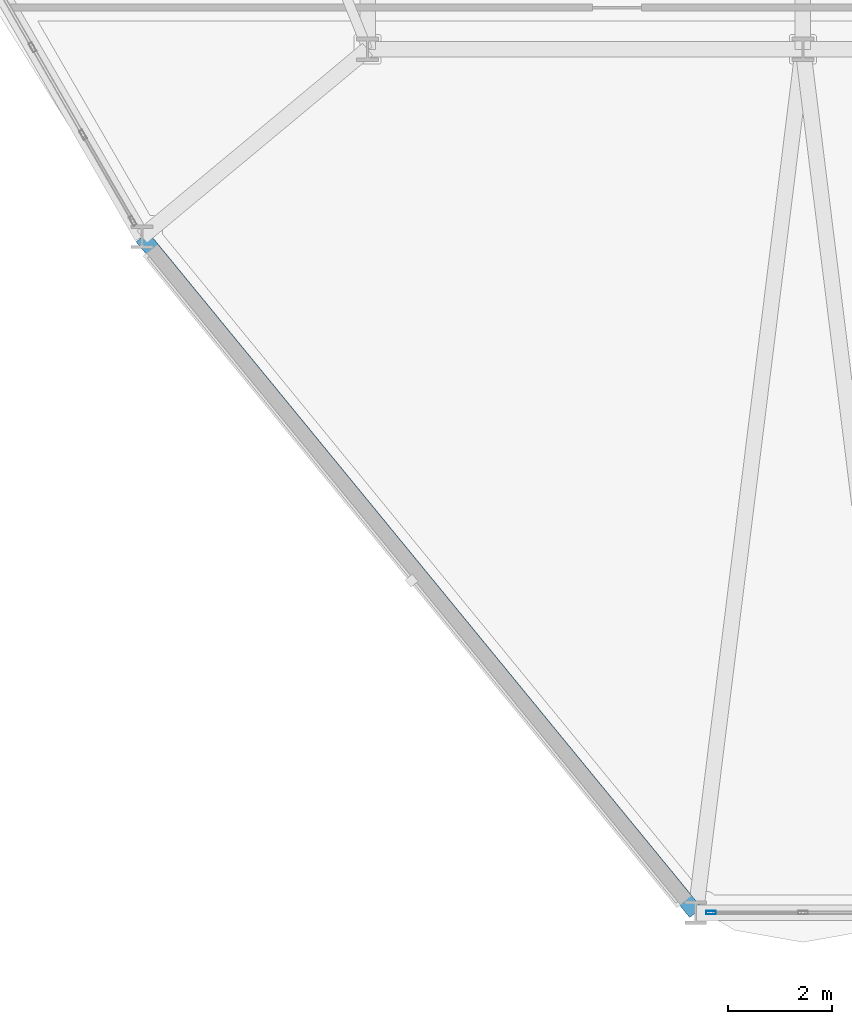
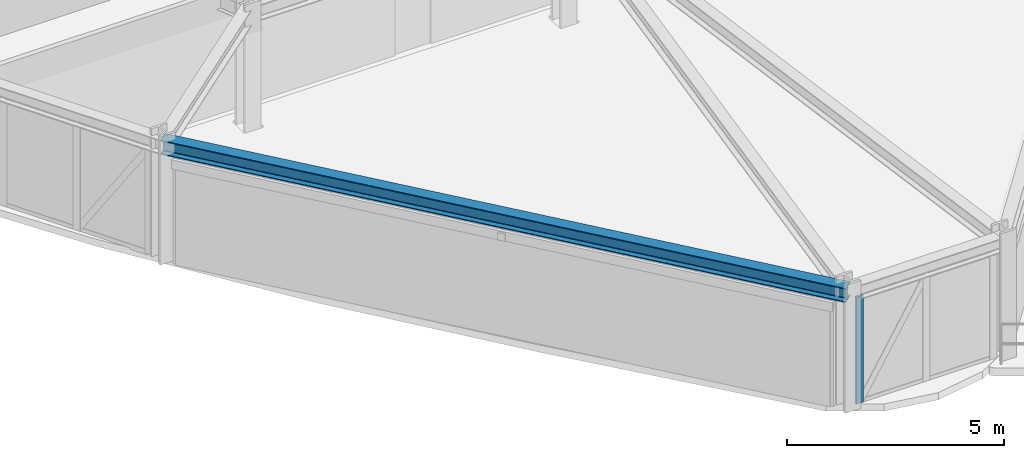
# One storey, part 3 of 23: 1 beam, 1 member, 1 element without a shape of its own.
"""IFC4 building model written with IfcOpenShell, lengths in metres."""

from ifc_helpers import new_model, si_unit, derived_unit, direction, frame, origin, origin_2d, place, context, subcontext, project, spatial, hollow_rectangle, i_section, extrude, source, transform, mapped, material, layer, layer_set, material_profile, profile_set, type_object, element, aggregate, save


model = new_model("IFC4")

# Units and contexts
model_context = context("Model", 3, precision=1e-05, world=origin(), true_north=direction((0.0, 1.0)))
body_context = subcontext(model_context, "Body", "Model", "MODEL_VIEW")
ifc_project = project(units=[si_unit("LENGTHUNIT", "METRE"), si_unit("AREAUNIT", "SQUARE_METRE"), si_unit("VOLUMEUNIT", "CUBIC_METRE"), si_unit("PLANEANGLEUNIT", "RADIAN"), si_unit("MASSUNIT", "GRAM", prefix="KILO"), derived_unit("THERMALTRANSMITTANCEUNIT", [(si_unit("POWERUNIT", "WATT"), 1), (si_unit("LENGTHUNIT", "METRE"), -2), (si_unit("THERMODYNAMICTEMPERATUREUNIT", "KELVIN"), -1)])], contexts=[model_context])

# Site, building, storey
site_placement = place(None, origin())
site = spatial("IfcSite", under=ifc_project, at=site_placement, CompositionType="ELEMENT")
building_placement = place(site_placement, origin())
building = spatial("IfcBuilding", under=site, at=building_placement, Name="Korsvarv Bourse and Concert Hall", CompositionType="ELEMENT")
storey_placement = place(building_placement, frame((0.0, 0.0, 99.0)))
storey = spatial("IfcBuildingStorey", under=building, at=storey_placement, Name="L24", CompositionType="ELEMENT", Elevation=99.0)

# Beam
ifc_material_1 = material(Name="Steel S355", Category="steel")
ifc_material_profile_1 = material_profile(ifc_material_1, i_section(OverallWidth=0.300048828125, OverallDepth=0.39990234375, WebThickness=0.013427734375, FlangeThickness=0.02392578125, FilletRadius=0.02099609375, at=origin_2d()), Name="HEB 400")
ifc_profile_set_1 = profile_set([ifc_material_profile_1], Name="Steel S355")
beam_type = type_object("IfcBeamType", Name="BM-HEB400", PredefinedType="SPANDREL", material=ifc_profile_set_1)
shared_shape_1 = source(origin(), body_context, "Body", "SweptSolid", [
    extrude(i_section(OverallWidth=0.300048828125, OverallDepth=0.39990234375, WebThickness=0.013427734375, FlangeThickness=0.02392578125, FilletRadius=0.02099609375, at=origin_2d()), origin(), (0.0, 0.0, 1.0), 16.8564453125),
])
beam_placement = place(storey_placement, frame((23.248779296875, 20.3828125, 3.199951171875), z_axis=(0.63375425105, -0.773534452546, 0.0), x_axis=(0.773534452546, 0.63375425105, 0.0)))
element("IfcBeam", 1, at=beam_placement, inside=storey, type_object=beam_type, Name="L24 beam B-09", PredefinedType="SPANDREL", context=body_context, shape_type="MappedRepresentation", body=[
    mapped(shared_shape_1, transform((0.0, 0.0, 0.0), scale=1.0)),
])

# Curtain wall, member
ifc_material_2 = material(Name="Anodised aluminium and triple low-E glazing", Category="glass")
ifc_layer = layer(ifc_material_2, 0.2099609375)
ifc_layer_set = layer_set([ifc_layer], Name="Anodised aluminium and triple low-E glazing")
curtain_wall_type = type_object("IfcCurtainWallType", Name="CW-SYS-2", PredefinedType="NOTDEFINED", material=ifc_layer_set)
curtain_wall_placement = place(storey_placement, origin())
curtain_wall = element("IfcCurtainWall", 2, at=curtain_wall_placement, inside=storey, type_object=curtain_wall_type, Name="L24 CW2 curtain wall CW-L24-F09", PredefinedType="NOTDEFINED")
ifc_material_3 = material(Name="Extruded aluminium EN AW-6063 T66", Category="aluminium")
ifc_material_profile_2 = material_profile(ifc_material_3, hollow_rectangle(XDim=0.070068359375, YDim=0.18994140625, WallThickness=0.0048828125, at=origin_2d()), Name="ALU-M 70x190")
ifc_profile_set_2 = profile_set([ifc_material_profile_2], Name="Extruded aluminium EN AW-6063 T66")
member_type = type_object("IfcMemberType", Name="CWM-190", PredefinedType="MULLION", material=ifc_profile_set_2)
shared_shape_2 = source(origin(), body_context, "Body", "SweptSolid", [
    extrude(hollow_rectangle(XDim=0.070068359375, YDim=0.18994140625, WallThickness=0.0048828125, at=origin_2d()), origin(), (0.0, 0.0, 1.0), 3.0),
])
member_placement = place(storey_placement, frame((34.2255859375, 7.34375, 0.0), z_axis=(0.0, 0.0, 1.0), x_axis=(0.0, 1.0, 0.0)))
member = element("IfcMember", 3, at=member_placement, type_object=member_type, Name="CW2 mullion 1", PredefinedType="MULLION", context=body_context, shape_type="MappedRepresentation", body=[
    mapped(shared_shape_2, transform((0.0, 0.0, 0.0), scale=1.0)),
])
aggregate(curtain_wall, [member])

save(model, "model.ifc")
